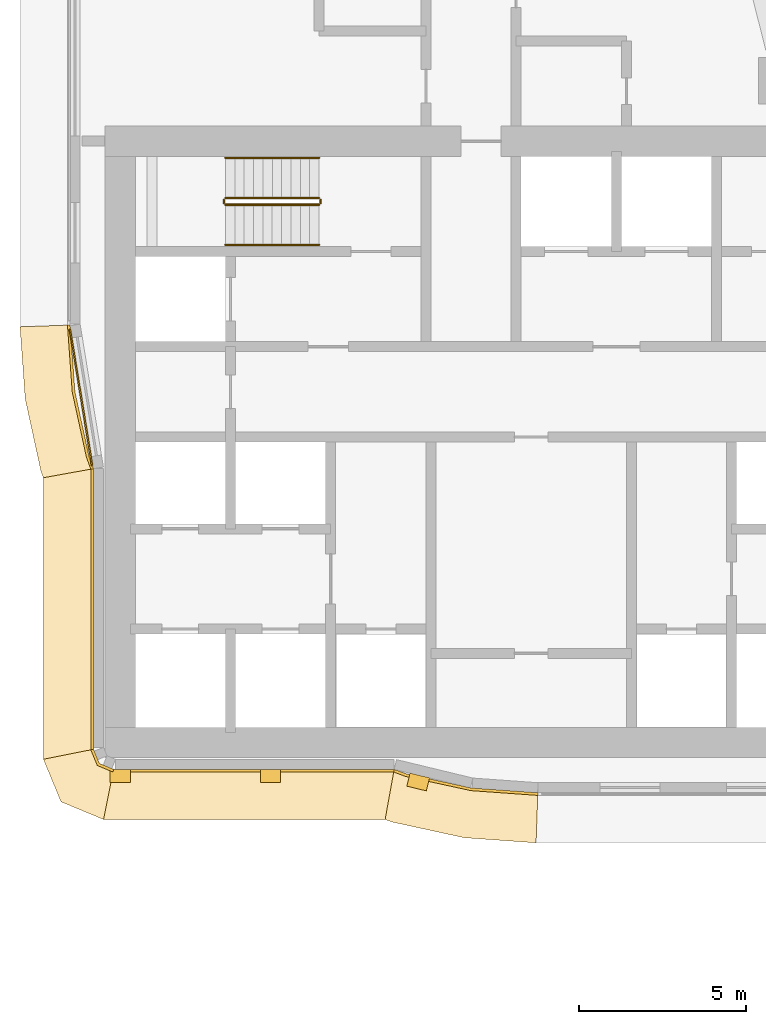
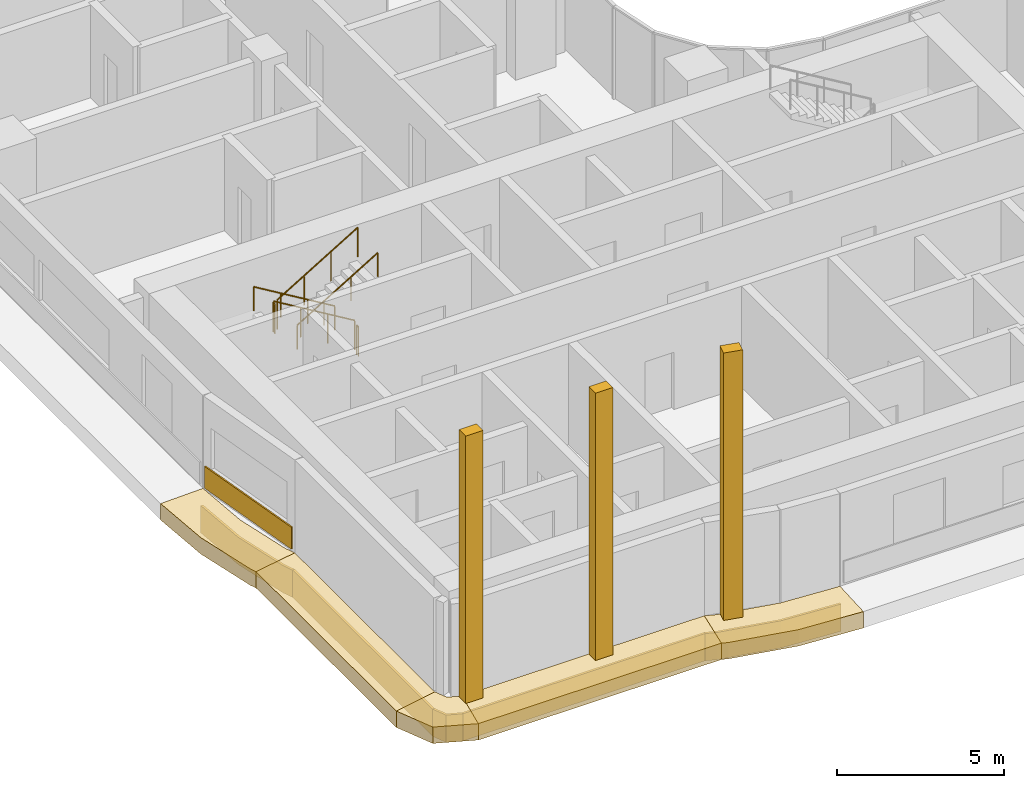
# One storey, part 28 of 36: 14 coverings, 6 railings.
"""IFC4 building model written with IfcOpenShell, lengths in metres."""

import ifcopenshell
import ifcopenshell.guid

model = None  # the IFC model being written
_history = None  # IfcOwnerHistory: only IFC2X3 demands one
_inside = {}  # id of a spatial element -> (the spatial element, [elements in it])
_under = {}  # id of a project, library or spatial element -> (it, [spatial elements below it])
_declared = {}  # id of a project -> (the project, [libraries it declares])
_typed = {}  # id of a type object -> (the type object, [elements of that type])
_made_of = {}  # id of a material, layer set ... -> (it, [elements and type objects made of it])


def new_model(schema):
    """Start an empty IFC model of exactly this schema.

    Asked for "IFC4X3", IfcOpenShell would pick the latest addendum, in which some entities
    have other attributes; the version numbers below select the first issue.
    IFC2X3 requires an IfcOwnerHistory on every rooted entity: one is made here for all.
    """
    global model, _history
    if schema == "IFC4X3":
        model = ifcopenshell.file(schema_version=(4, 3, 0, 0))
    else:
        model = ifcopenshell.file(schema=schema)
    _inside.clear()
    _under.clear()
    _declared.clear()
    _typed.clear()
    _made_of.clear()
    _history = None
    if model.schema == "IFC2X3":
        org = make("IfcOrganization", Name="unknown")
        user = make(
            "IfcPersonAndOrganization",
            ThePerson=make("IfcPerson", FamilyName="unknown"),
            TheOrganization=org,
        )
        app = make(
            "IfcApplication",
            ApplicationDeveloper=org,
            Version="unknown",
            ApplicationFullName="unknown",
            ApplicationIdentifier="unknown",
        )
        _history = make(
            "IfcOwnerHistory",
            OwningUser=user,
            OwningApplication=app,
            ChangeAction="ADDED",
            CreationDate=0,
        )
    return model


def make(cls, **values):
    """One entity of the class cls with the attributes given. An attribute that is None is left unset."""
    return model.create_entity(
        cls, **{name: value for name, value in values.items() if value is not None}
    )


def rooted(cls, **values):
    """An entity with a GlobalId (a new one), such as an element, a storey or a relation."""
    return make(cls, GlobalId=ifcopenshell.guid.new(), OwnerHistory=_history, **values)


def si_unit(unit_type, name, prefix=None):
    """IfcSIUnit, for example si_unit("LENGTHUNIT", "METRE", prefix="MILLI")."""
    return make("IfcSIUnit", UnitType=unit_type, Prefix=prefix, Name=name)


def assignment(units):
    """IfcUnitAssignment: the units of a project."""
    return None if units is None else make("IfcUnitAssignment", Units=units)


def point(xyz):
    """IfcCartesianPoint."""
    return None if xyz is None else make("IfcCartesianPoint", Coordinates=xyz)


def direction(xyz):
    """IfcDirection."""
    return None if xyz is None else make("IfcDirection", DirectionRatios=xyz)


def frame(location, z_axis=None, x_axis=None):
    """IfcAxis2Placement3D, a coordinate frame: its origin and axes. An axis left out is left unset."""
    return make(
        "IfcAxis2Placement3D",
        Location=point(location),
        Axis=direction(z_axis),
        RefDirection=direction(x_axis),
    )


def frame_2d(location, x_axis=None):
    """IfcAxis2Placement2D, a coordinate frame in the plane: its origin and x axis."""
    return make(
        "IfcAxis2Placement2D", Location=point(location), RefDirection=direction(x_axis)
    )


def origin():
    """The frame at (0, 0, 0) with its axes left unset."""
    return frame((0.0, 0.0, 0.0))


def origin_2d():
    """The frame at (0, 0) in the plane with its x axis left unset."""
    return frame_2d((0.0, 0.0))


def place(relative_to, where):
    """IfcLocalPlacement: puts the frame where relative to a parent placement (None: the world)."""
    return make(
        "IfcLocalPlacement", PlacementRelTo=relative_to, RelativePlacement=where
    )


def context(
    kind, dimensions, precision=None, world=None, true_north=None, identifier=None
):
    """IfcGeometricRepresentationContext, for example the 3D "Model" context."""
    return make(
        "IfcGeometricRepresentationContext",
        ContextIdentifier=identifier,
        ContextType=kind,
        CoordinateSpaceDimension=dimensions,
        Precision=precision,
        WorldCoordinateSystem=world,
        TrueNorth=true_north,
    )


def subcontext(parent, identifier, kind, view, scale=None):
    """IfcGeometricRepresentationSubContext, for example "Body" below "Model"."""
    return make(
        "IfcGeometricRepresentationSubContext",
        ContextIdentifier=identifier,
        ContextType=kind,
        ParentContext=parent,
        TargetScale=scale,
        TargetView=view,
    )


def project(units=None, contexts=None):
    """IfcProject with its units and contexts."""
    return rooted(
        "IfcProject",
        Name="project",
        RepresentationContexts=contexts,
        UnitsInContext=assignment(units),
    )


def spatial(cls, under=None, at=None, **own):
    """A site, building, storey or space (cls), placed at a placement, below another one or the project."""
    s = rooted(cls, ObjectPlacement=at, **own)
    if under is not None:
        _under.setdefault(under.id(), (under, []))[1].append(s)
    return s


def polyline(points):
    """IfcPolyline through the points."""
    return make("IfcPolyline", Points=[point(p) for p in points])


def profile(cls, at=None, kind="AREA", **sizes):
    """A parametric profile (cls). Its sizes go by their IFC names, for example OverallWidth=200.0."""
    return make(cls, ProfileType=kind, Position=at, **sizes)


def rectangle(**sizes):
    """IfcRectangleProfileDef."""
    return profile("IfcRectangleProfileDef", **sizes)


def circle(**sizes):
    """IfcCircleProfileDef."""
    return profile("IfcCircleProfileDef", **sizes)


def outline(outer, holes=None, kind="AREA"):
    """IfcArbitraryClosedProfileDef: a profile drawn as a closed curve; with holes, ...WithVoids."""
    if holes is None:
        return make("IfcArbitraryClosedProfileDef", ProfileType=kind, OuterCurve=outer)
    return make(
        "IfcArbitraryProfileDefWithVoids",
        ProfileType=kind,
        OuterCurve=outer,
        InnerCurves=holes,
    )


def extrude(swept, where, along, depth):
    """IfcExtrudedAreaSolid: the profile swept, set in the frame where, extruded along a direction by depth."""
    return make(
        "IfcExtrudedAreaSolid",
        SweptArea=swept,
        Position=where,
        ExtrudedDirection=direction(along),
        Depth=depth,
    )


def shape(context_of_items, identifier, shape_type, items):
    """IfcShapeRepresentation: the items that make up one representation, for example the "Body"."""
    return make(
        "IfcShapeRepresentation",
        ContextOfItems=context_of_items,
        RepresentationIdentifier=identifier,
        RepresentationType=shape_type,
        Items=items,
    )


def material(Name=None, Category=None):
    """IfcMaterial."""
    return make("IfcMaterial", Name=Name, Category=Category)


def layer(
    of_material, thickness, ventilated=None, Name=None, Category=None, Priority=None
):
    """IfcMaterialLayer: one layer of a wall or slab, of a material (None: an air gap)."""
    return make(
        "IfcMaterialLayer",
        Material=of_material,
        LayerThickness=thickness,
        IsVentilated=ventilated,
        Name=Name,
        Category=Category,
        Priority=Priority,
    )


def layer_set(layers, Name=None):
    """IfcMaterialLayerSet."""
    return make("IfcMaterialLayerSet", MaterialLayers=layers, LayerSetName=Name)


def made_of(thing, what):
    """Note that an element or type object is made of a material, layer set ...; save() writes the relation."""
    if what is not None:
        _made_of.setdefault(what.id(), (what, []))[1].append(thing)
    return thing


def type_object(cls, material=None, **own):
    """A type object (cls), such as IfcWallType, which elements share."""
    return made_of(rooted(cls, **own), material)


def element(
    cls,
    number,
    at=None,
    inside=None,
    cuts=None,
    type_object=None,
    material=None,
    context=None,
    identifier="Body",
    shape_type=None,
    held_by="IfcProductDefinitionShape",
    body=None,
    shapes=None,
    **own,
):
    """One element of the class cls, such as IfcWall. Its Tag is "e" and its number.

    at: its placement. inside: the storey or other place that contains it. cuts: it is an
    opening in that element (IfcRelVoidsElement). A single representation is given by context,
    identifier, shape_type and body (its items); several are given by shapes. held_by: the class
    of the entity that holds the representations. save() writes the other relations.
    """
    e = rooted(cls, Tag="e%d" % number, ObjectPlacement=at, **own)
    if body is not None:
        shapes = [shape(context, identifier, shape_type, body)]
    if shapes is not None:
        e.Representation = make(held_by, Representations=shapes)
    if inside is not None:
        _inside.setdefault(inside.id(), (inside, []))[1].append(e)
    if cuts is not None:
        rooted(
            "IfcRelVoidsElement", RelatingBuildingElement=cuts, RelatedOpeningElement=e
        )
    if type_object is not None:
        _typed.setdefault(type_object.id(), (type_object, []))[1].append(e)
    return made_of(e, material)


def aggregate(whole, parts):
    """IfcRelAggregates: a whole, such as a stair, and the parts it consists of."""
    return rooted("IfcRelAggregates", RelatingObject=whole, RelatedObjects=parts)


def save(model, path):
    """Write the relations noted so far, then the file.

    IfcRelAggregates (storeys below a building ...), IfcRelContainedInSpatialStructure (elements
    in a storey), IfcRelDefinesByType, IfcRelAssociatesMaterial and IfcRelDeclares: one each for
    every whole, place, type object, material and project.
    """
    for whole, parts in _under.values():
        aggregate(whole, parts)
    for where, things in _inside.values():
        rooted(
            "IfcRelContainedInSpatialStructure",
            RelatedElements=things,
            RelatingStructure=where,
        )
    for kind, things in _typed.values():
        rooted("IfcRelDefinesByType", RelatedObjects=things, RelatingType=kind)
    for what, things in _made_of.values():
        rooted("IfcRelAssociatesMaterial", RelatedObjects=things, RelatingMaterial=what)
    for by, libraries in _declared.values():
        rooted("IfcRelDeclares", RelatingContext=by, RelatedDefinitions=libraries)
    model.write(path)


model = new_model("IFC4")

# Units and contexts
model_context = context("Model", 3, precision=1e-05, world=origin(), true_north=direction((0.0, 1.0)))
body_context = subcontext(model_context, "Body", "Model", "MODEL_VIEW")
ifc_project = project(units=[si_unit("LENGTHUNIT", "METRE"), si_unit("AREAUNIT", "SQUARE_METRE"), si_unit("VOLUMEUNIT", "CUBIC_METRE"), si_unit("PLANEANGLEUNIT", "RADIAN"), si_unit("MASSUNIT", "GRAM", prefix="KILO")], contexts=[model_context])

# Site, building, storey
site_placement = place(None, origin())
site = spatial("IfcSite", under=ifc_project, at=site_placement, CompositionType="ELEMENT")
building_placement = place(site_placement, origin())
building = spatial("IfcBuilding", under=site, at=building_placement, Name="Ogive Portal Towers", CompositionType="ELEMENT")
storey_placement = place(building_placement, frame((0.0, 0.0, 70.5)))
storey = spatial("IfcBuildingStorey", under=building, at=storey_placement, Name="L16", CompositionType="ELEMENT", Elevation=70.5)

# Railings
ifc_material_1 = material(Name="Stainless steel balustrade", Category="steel")
railing_type_1 = type_object("IfcRailingType", Name="INT-GUARD", PredefinedType="GUARDRAIL", material=ifc_material_1)
railing_1_placement = place(storey_placement, frame((37.449951171875, 37.800048828125, 0.168212890625)))
element("IfcRailing", 1, at=railing_1_placement, inside=storey, type_object=railing_type_1, Name="L16 ST-A1 stair guard 1", PredefinedType="GUARDRAIL", context=body_context, shape_type="SweptSolid", body=[
    extrude(circle(Radius=0.02392578125, at=origin_2d()), frame((0.0, 0.0, 1.076171875), z_axis=(-0.857242210791, 0.0, 0.514913383045), x_axis=(0.0, -1.0, 0.0)), (0.0, 0.0, 1.0), 3.266357421875),
    extrude(circle(Radius=0.02099609375, at=origin_2d()), origin(), (0.0, 0.0, 1.0), 1.052001953125),
    extrude(circle(Radius=0.02099609375, at=origin_2d()), frame((-0.933349609375, 0.0, 0.560546875)), (0.0, 0.0, 1.0), 1.052001953125),
    extrude(circle(Radius=0.02099609375, at=origin_2d()), frame((-1.86669921875, 0.0, 1.121337890625)), (0.0, 0.0, 1.0), 1.052001953125),
    extrude(circle(Radius=0.02099609375, at=origin_2d()), frame((-2.800048828125, 0.0, 1.681884765625)), (0.0, 0.0, 1.0), 1.052001953125),
])
railing_2_placement = place(storey_placement, frame((34.60009765625, 37.75, 1.85009765625)))
element("IfcRailing", 2, at=railing_2_placement, inside=storey, type_object=railing_type_1, Name="L16 ST-A1 stair guard 2", PredefinedType="GUARDRAIL", context=body_context, shape_type="SweptSolid", body=[
    extrude(circle(Radius=0.02392578125, at=origin_2d()), frame((0.0, 0.0, 1.076171875), z_axis=(0.0, -1.0, 0.0), x_axis=(1.0, 0.0, 0.0)), (0.0, 0.0, 1.0), 0.10009765625),
    extrude(circle(Radius=0.02099609375, at=origin_2d()), origin(), (0.0, 0.0, 1.0), 1.052001953125),
    extrude(circle(Radius=0.02099609375, at=origin_2d()), frame((0.0, -0.10009765625, 0.0)), (0.0, 0.0, 1.0), 1.052001953125),
])
railing_3_placement = place(storey_placement, frame((34.64990234375, 37.60009765625, 2.01806640625)))
element("IfcRailing", 3, at=railing_3_placement, inside=storey, type_object=railing_type_1, Name="L16 ST-A1 stair guard 3", PredefinedType="GUARDRAIL", context=body_context, shape_type="SweptSolid", body=[
    extrude(circle(Radius=0.02392578125, at=origin_2d()), frame((0.0, 0.0, 1.076171875), z_axis=(0.857242210791, 0.0, 0.514913383045), x_axis=(0.0, 1.0, 0.0)), (0.0, 0.0, 1.0), 3.266357421875),
    extrude(circle(Radius=0.02099609375, at=origin_2d()), origin(), (0.0, 0.0, 1.0), 1.052001953125),
    extrude(circle(Radius=0.02099609375, at=origin_2d()), frame((0.933349609375, 0.0, 0.560546875)), (0.0, 0.0, 1.0), 1.052001953125),
    extrude(circle(Radius=0.02099609375, at=origin_2d()), frame((1.86669921875, 0.0, 1.121337890625)), (0.0, 0.0, 1.0), 1.052001953125),
    extrude(circle(Radius=0.02099609375, at=origin_2d()), frame((2.800048828125, 0.0, 1.681884765625)), (0.0, 0.0, 1.0), 1.052001953125),
])
railing_4_placement = place(storey_placement, frame((37.5, 37.75, 0.0)))
element("IfcRailing", 4, at=railing_4_placement, inside=storey, type_object=railing_type_1, Name="L16 ST-A1 stair guard 4", PredefinedType="GUARDRAIL", context=body_context, shape_type="SweptSolid", body=[
    extrude(circle(Radius=0.02392578125, at=origin_2d()), frame((0.0, 0.0, 1.076171875), z_axis=(0.0, -1.0, 0.0), x_axis=(1.0, 0.0, 0.0)), (0.0, 0.0, 1.0), 0.10009765625),
    extrude(circle(Radius=0.02099609375, at=origin_2d()), origin(), (0.0, 0.0, 1.0), 1.052001953125),
    extrude(circle(Radius=0.02099609375, at=origin_2d()), frame((0.0, -0.10009765625, 0.0)), (0.0, 0.0, 1.0), 1.052001953125),
])
ifc_material_2 = material(Name="Stainless steel handrail", Category="steel")
railing_type_2 = type_object("IfcRailingType", Name="INT-HANDRAIL", PredefinedType="HANDRAIL", material=ifc_material_2)
railing_5_placement = place(storey_placement, frame((37.449951171875, 39.0, 0.168212890625)))
element("IfcRailing", 5, at=railing_5_placement, inside=storey, type_object=railing_type_2, Name="L16 ST-A1 stair handrail 1", PredefinedType="HANDRAIL", context=body_context, shape_type="SweptSolid", body=[
    extrude(circle(Radius=0.02392578125, at=origin_2d()), frame((0.0, 0.0, 0.8759765625), z_axis=(-0.857242210791, 0.0, 0.514913383045), x_axis=(0.0, -1.0, 0.0)), (0.0, 0.0, 1.0), 3.266357421875),
    extrude(circle(Radius=0.02099609375, at=origin_2d()), origin(), (0.0, 0.0, 1.0), 0.851806640625),
    extrude(circle(Radius=0.02099609375, at=origin_2d()), frame((-0.933349609375, 0.0, 0.560546875)), (0.0, 0.0, 1.0), 0.851806640625),
    extrude(circle(Radius=0.02099609375, at=origin_2d()), frame((-1.86669921875, 0.0, 1.121337890625)), (0.0, 0.0, 1.0), 0.851806640625),
    extrude(circle(Radius=0.02099609375, at=origin_2d()), frame((-2.800048828125, 0.0, 1.681884765625)), (0.0, 0.0, 1.0), 0.851806640625),
])
railing_6_placement = place(storey_placement, frame((34.64990234375, 36.39990234375, 2.01806640625)))
element("IfcRailing", 6, at=railing_6_placement, inside=storey, type_object=railing_type_2, Name="L16 ST-A1 stair handrail 2", PredefinedType="HANDRAIL", context=body_context, shape_type="SweptSolid", body=[
    extrude(circle(Radius=0.02392578125, at=origin_2d()), frame((0.0, 0.0, 0.8759765625), z_axis=(0.857242210791, 0.0, 0.514913383045), x_axis=(0.0, 1.0, 0.0)), (0.0, 0.0, 1.0), 3.266357421875),
    extrude(circle(Radius=0.02099609375, at=origin_2d()), origin(), (0.0, 0.0, 1.0), 0.851806640625),
    extrude(circle(Radius=0.02099609375, at=origin_2d()), frame((0.933349609375, 0.0, 0.560546875)), (0.0, 0.0, 1.0), 0.851806640625),
    extrude(circle(Radius=0.02099609375, at=origin_2d()), frame((1.86669921875, 0.0, 1.121337890625)), (0.0, 0.0, 1.0), 0.851806640625),
    extrude(circle(Radius=0.02099609375, at=origin_2d()), frame((2.800048828125, 0.0, 1.681884765625)), (0.0, 0.0, 1.0), 0.851806640625),
])

# Coverings
ifc_material_3 = material(Name="Limestone cladding on lightweight block wall", Category="masonry")
ifc_layer_1 = layer(ifc_material_3, 0.050048828125)
ifc_layer_set_1 = layer_set([ifc_layer_1], Name="SCREEN PERFORATED STONE")
covering_type_1 = type_object("IfcCoveringType", Name="SCREEN PERFORATED STONE", PredefinedType="CLADDING", material=ifc_layer_set_1)
covering_1_placement = place(storey_placement, frame((30.327392578125, 31.833740234375, 0.10009765625), z_axis=(0.0, 0.0, 1.0), x_axis=(0.160654533408, -0.987010699484, 0.0)))
element("IfcCovering", 7, at=covering_1_placement, inside=storey, type_object=covering_type_1, Name="Tracery screen", PredefinedType="CLADDING", context=body_context, shape_type="SweptSolid", body=[
    extrude(rectangle(XDim=4.1328125, YDim=0.050048828125, at=origin_2d()), origin(), (0.0, 0.0, 1.0), 0.800048828125),
])
ifc_layer_2 = layer(ifc_material_3, 0.39990234375)
ifc_layer_set_2 = layer_set([ifc_layer_2], Name="SPINE PIER STONE")
covering_type_2 = type_object("IfcCoveringType", Name="SPINE PIER STONE", PredefinedType="CLADDING", material=ifc_layer_set_2)
for number, where, z_axis, x_axis, name in (
    (8, (31.5, 20.5, 0.0), (0.0, 0.0, 1.0), (1.0, 0.0, 0.0), "SPINE PIER"),
    (9, (36.0, 20.5, 0.0), (0.0, 0.0, 1.0), (1.0, 0.0, 0.0), "SPINE PIER"),
    (10, (40.417724609375, 20.32080078125, 0.0), (0.0, 0.0, 1.0), (0.972047938929, -0.234782461918, 0.0), "SPINE PIER"),
):
    element("IfcCovering", number, at=place(storey_placement, frame(where, z_axis=z_axis, x_axis=x_axis)), inside=storey, type_object=covering_type_2, Name=name, PredefinedType="CLADDING", context=body_context, shape_type="SweptSolid", body=[
        extrude(rectangle(XDim=0.60009765625, YDim=0.39990234375, at=origin_2d()), origin(), (0.0, 0.0, 1.0), 9.800048828125),
    ])
ifc_layer_3 = layer(ifc_material_3, 0.080078125)
ifc_layer_set_3 = layer_set([ifc_layer_3], Name="STONE SPANDREL 80")
covering_type_3 = type_object("IfcCoveringType", Name="STONE SPANDREL 80", PredefinedType="CLADDING", material=ifc_layer_set_3)
covering_2_placement = place(storey_placement, frame((0.0, 0.0, -1.60009765625)))
element("IfcCovering", 11, at=covering_2_placement, inside=storey, type_object=covering_type_3, Name="Stone spandrel A1-F01", PredefinedType="CLADDING", context=body_context, shape_type="SweptSolid", body=[
    extrude(outline(polyline([(30.699951171875, 29.699462890625), (30.699951171875, 21.300048828125), (30.6201171875, 21.2841796875), (30.6201171875, 29.68505859375), (30.699951171875, 29.699462890625)])), origin(), (0.0, 0.0, 1.0), 1.0),
])
covering_3_placement = place(storey_placement, frame((0.0, 0.0, -1.60009765625)))
element("IfcCovering", 12, at=covering_3_placement, inside=storey, type_object=covering_type_3, Name="Stone spandrel A1-F02", PredefinedType="CLADDING", context=body_context, shape_type="SweptSolid", body=[
    extrude(outline(polyline([(30.699951171875, 21.300048828125), (30.875732421875, 20.875732421875), (31.300048828125, 20.699951171875), (31.2841796875, 20.6201171875), (30.814453125, 20.814453125), (30.6201171875, 21.2841796875), (30.699951171875, 21.300048828125)])), origin(), (0.0, 0.0, 1.0), 1.0),
])
covering_4_placement = place(storey_placement, frame((0.0, 0.0, -1.60009765625)))
element("IfcCovering", 13, at=covering_4_placement, inside=storey, type_object=covering_type_3, Name="Stone spandrel A1-F03", PredefinedType="CLADDING", context=body_context, shape_type="SweptSolid", body=[
    extrude(outline(polyline([(31.300048828125, 20.699951171875), (39.699462890625, 20.699951171875), (39.68505859375, 20.6201171875), (31.2841796875, 20.6201171875), (31.300048828125, 20.699951171875)])), origin(), (0.0, 0.0, 1.0), 1.0),
])
covering_5_placement = place(storey_placement, frame((0.0, 0.0, -1.60009765625)))
element("IfcCovering", 14, at=covering_5_placement, inside=storey, type_object=covering_type_3, Name="Stone spandrel A1-F04", PredefinedType="CLADDING", context=body_context, shape_type="SweptSolid", body=[
    extrude(outline(polyline([(39.699462890625, 20.699951171875), (40.0556640625, 20.567138671875), (42.007568359375, 20.142578125), (44.0, 20.0), (43.9970703125, 19.919921875), (41.99609375, 20.063232421875), (40.033203125, 20.490234375), (39.68505859375, 20.6201171875), (39.699462890625, 20.699951171875)])), origin(), (0.0, 0.0, 1.0), 1.0),
])
covering_6_placement = place(storey_placement, frame((0.0, 0.0, -1.60009765625)))
element("IfcCovering", 15, at=covering_6_placement, inside=storey, type_object=covering_type_3, Name="Stone spandrel A1-F14", PredefinedType="CLADDING", context=body_context, shape_type="SweptSolid", body=[
    extrude(outline(polyline([(30.0, 34.0), (30.142578125, 32.007568359375), (30.567138671875, 30.0556640625), (30.699951171875, 29.699462890625), (30.6201171875, 29.68505859375), (30.490234375, 30.033203125), (30.063232421875, 31.99609375), (29.919921875, 33.9970703125), (30.0, 34.0)])), origin(), (0.0, 0.0, 1.0), 1.0),
])
ifc_layer_4 = layer(ifc_material_3, 0.60009765625)
ifc_layer_set_4 = layer_set([ifc_layer_4], Name="SUNSHADE LIP 600")
covering_type_4 = type_object("IfcCoveringType", Name="SUNSHADE LIP 600", PredefinedType="CLADDING", material=ifc_layer_set_4)
covering_7_placement = place(storey_placement, frame((0.0, 0.0, -0.60009765625)))
element("IfcCovering", 16, at=covering_7_placement, inside=storey, type_object=covering_type_4, Name="Sunshade lip A1-F01", PredefinedType="CLADDING", context=body_context, shape_type="SweptSolid", body=[
    extrude(outline(polyline([(30.699951171875, 29.699462890625), (30.699951171875, 21.300048828125), (29.199951171875, 21.001708984375), (29.199951171875, 29.4287109375), (30.699951171875, 29.699462890625)])), origin(), (0.0, 0.0, 1.0), 0.60009765625),
])
covering_8_placement = place(storey_placement, frame((0.0, 0.0, -0.60009765625)))
element("IfcCovering", 17, at=covering_8_placement, inside=storey, type_object=covering_type_4, Name="Sunshade lip A1-F02", PredefinedType="CLADDING", context=body_context, shape_type="SweptSolid", body=[
    extrude(outline(polyline([(30.699951171875, 21.300048828125), (30.875732421875, 20.875732421875), (31.300048828125, 20.699951171875), (31.001708984375, 19.199951171875), (29.727783203125, 19.727783203125), (29.199951171875, 21.001708984375), (30.699951171875, 21.300048828125)])), origin(), (0.0, 0.0, 1.0), 0.60009765625),
])
covering_9_placement = place(storey_placement, frame((0.0, 0.0, -0.60009765625)))
element("IfcCovering", 18, at=covering_9_placement, inside=storey, type_object=covering_type_4, Name="Sunshade lip A1-F03", PredefinedType="CLADDING", context=body_context, shape_type="SweptSolid", body=[
    extrude(outline(polyline([(31.300048828125, 20.699951171875), (39.699462890625, 20.699951171875), (39.4287109375, 19.199951171875), (31.001708984375, 19.199951171875), (31.300048828125, 20.699951171875)])), origin(), (0.0, 0.0, 1.0), 0.60009765625),
])
covering_10_placement = place(storey_placement, frame((0.0, 0.0, -0.60009765625)))
element("IfcCovering", 19, at=covering_10_placement, inside=storey, type_object=covering_type_4, Name="Sunshade lip A1-F04", PredefinedType="CLADDING", context=body_context, shape_type="SweptSolid", body=[
    extrude(outline(polyline([(39.699462890625, 20.699951171875), (40.0556640625, 20.567138671875), (42.007568359375, 20.142578125), (44.0, 20.0), (43.946533203125, 18.5), (41.79345703125, 18.654052734375), (39.632080078125, 19.124267578125), (39.4287109375, 19.199951171875), (39.699462890625, 20.699951171875)])), origin(), (0.0, 0.0, 1.0), 0.60009765625),
])
covering_11_placement = place(storey_placement, frame((0.0, 0.0, -0.60009765625)))
element("IfcCovering", 20, at=covering_11_placement, inside=storey, type_object=covering_type_4, Name="Sunshade lip A1-F14", PredefinedType="CLADDING", context=body_context, shape_type="SweptSolid", body=[
    extrude(outline(polyline([(30.0, 34.0), (30.142578125, 32.007568359375), (30.567138671875, 30.0556640625), (30.699951171875, 29.699462890625), (29.199951171875, 29.4287109375), (29.124267578125, 29.632080078125), (28.654052734375, 31.79345703125), (28.5, 33.946533203125), (30.0, 34.0)])), origin(), (0.0, 0.0, 1.0), 0.60009765625),
])

save(model, "model.ifc")
